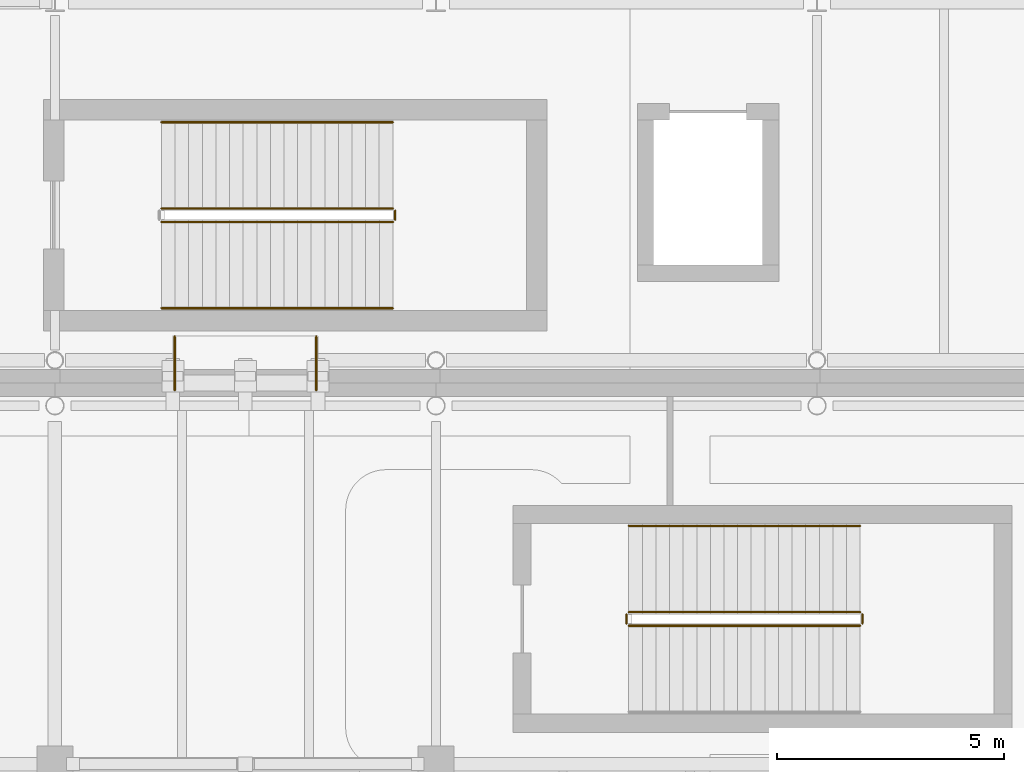
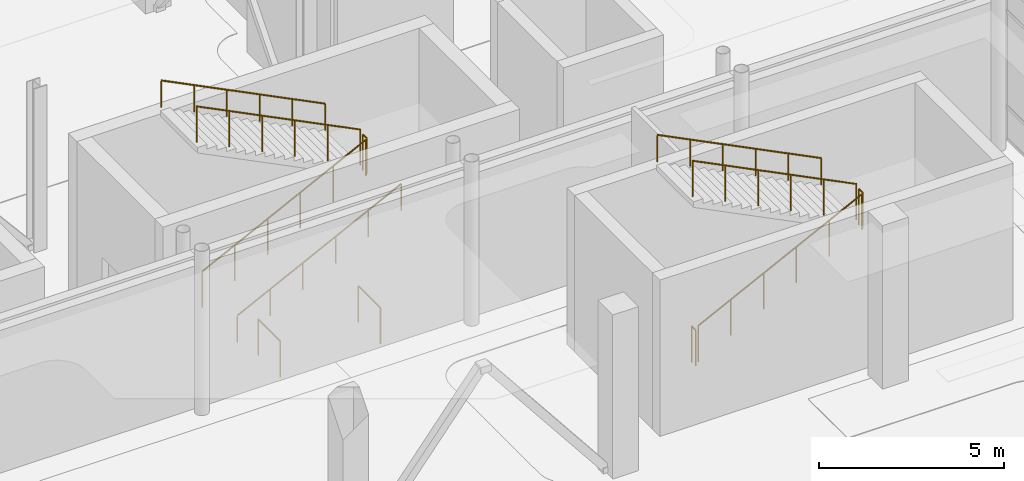
# One storey, part 107 of 110: 12 railings.
"""IFC4 building model written with IfcOpenShell, lengths in metres."""

from ifc_helpers import new_model, si_unit, direction, frame, origin, origin_2d, place, context, subcontext, project, spatial, circle, extrude, material, type_object, element, save


model = new_model("IFC4")

# Units and contexts
model_context = context("Model", 3, precision=1e-05, world=origin(), true_north=direction((0.0, 1.0)))
body_context = subcontext(model_context, "Body", "Model", "MODEL_VIEW")
ifc_project = project(units=[si_unit("LENGTHUNIT", "METRE"), si_unit("AREAUNIT", "SQUARE_METRE"), si_unit("VOLUMEUNIT", "CUBIC_METRE"), si_unit("PLANEANGLEUNIT", "RADIAN"), si_unit("MASSUNIT", "GRAM", prefix="KILO"), si_unit("THERMODYNAMICTEMPERATUREUNIT", "KELVIN")], contexts=[model_context])

# Site, building, storey
site_placement = place(None, origin())
site = spatial("IfcSite", under=ifc_project, at=site_placement, CompositionType="ELEMENT")
building_placement = place(site_placement, origin())
building = spatial("IfcBuilding", under=site, at=building_placement, Name="Lustrewick Department Store", CompositionType="ELEMENT")
storey_placement = place(building_placement, frame((0.0, 0.0, 6.0)))
storey = spatial("IfcBuildingStorey", under=building, at=storey_placement, Name="L02", CompositionType="ELEMENT", Elevation=6.0)

# Railings
ifc_material_1 = material(Name="Laminated safety glass and bronze atrium balustrade", Category="glass")
railing_type_1 = type_object("IfcRailingType", Name="RL-BAL", PredefinedType="BALUSTRADE", material=ifc_material_1)
for number, where, name in (
    (1, (128.639892578125, 50.239990234375, 0.0), "L02 Skybridge SB34 West Guard 0023"),
    (2, (131.760009765625, 50.239990234375, 0.0), "L02 Skybridge SB34 East Guard 0024"),
):
    element("IfcRailing", number, at=place(storey_placement, frame(where)), inside=storey, type_object=railing_type_1, Name=name, PredefinedType="BALUSTRADE", context=body_context, shape_type="SweptSolid", body=[
        extrude(circle(Radius=0.02392578125, at=origin_2d()), frame((0.0, 0.0, 1.17578125), z_axis=(0.0, 1.0, 0.0), x_axis=(-1.0, 0.0, 0.0)), (0.0, 0.0, 1.0), 1.18994140625),
        extrude(circle(Radius=0.02099609375, at=origin_2d()), origin(), (0.0, 0.0, 1.0), 1.15185546875),
        extrude(circle(Radius=0.02099609375, at=origin_2d()), frame((0.0, 1.18994140625, 0.0)), (0.0, 0.0, 1.0), 1.15185546875),
    ])
ifc_material_2 = material(Name="Painted tubular steel stairwell guardrail", Category="steel")
railing_type_2 = type_object("IfcRailingType", Name="RL-STG", PredefinedType="GUARDRAIL", material=ifc_material_2)
railing_1_placement = place(storey_placement, frame((138.64990234375, 45.050048828125, 0.14990234375)))
element("IfcRailing", 3, at=railing_1_placement, inside=storey, type_object=railing_type_2, Name="L02 ST08 Stair Guard 1", PredefinedType="GUARDRAIL", context=body_context, shape_type="SweptSolid", body=[
    extrude(circle(Radius=0.02392578125, at=origin_2d()), frame((0.0, 0.0, 1.17578125), z_axis=(0.894427191, 0.0, 0.4472135955), x_axis=(0.0, 1.0, 0.0)), (0.0, 0.0, 1.0), 5.7021484375),
    extrude(circle(Radius=0.02099609375, at=origin_2d()), origin(), (0.0, 0.0, 1.0), 1.15185546875),
    extrude(circle(Radius=0.02099609375, at=origin_2d()), frame((1.02001953125, 0.0, 0.510009765625)), (0.0, 0.0, 1.0), 1.15185546875),
    extrude(circle(Radius=0.02099609375, at=origin_2d()), frame((2.0400390625, 0.0, 1.02001953125)), (0.0, 0.0, 1.0), 1.15185546875),
    extrude(circle(Radius=0.02099609375, at=origin_2d()), frame((3.06005859375, 0.0, 1.530029296875)), (0.0, 0.0, 1.0), 1.15185546875),
    extrude(circle(Radius=0.02099609375, at=origin_2d()), frame((4.080078125, 0.0, 2.0400390625)), (0.0, 0.0, 1.0), 1.15185546875),
    extrude(circle(Radius=0.02099609375, at=origin_2d()), frame((5.10009765625, 0.0, 2.550048828125)), (0.0, 0.0, 1.0), 1.15185546875),
])
railing_2_placement = place(storey_placement, frame((143.800048828125, 45.10009765625, 2.699951171875)))
element("IfcRailing", 4, at=railing_2_placement, inside=storey, type_object=railing_type_2, Name="L02 ST08 Stair Guard 2", PredefinedType="GUARDRAIL", context=body_context, shape_type="SweptSolid", body=[
    extrude(circle(Radius=0.02392578125, at=origin_2d()), frame((0.0, 0.0, 1.17578125), z_axis=(0.0, 1.0, 0.0), x_axis=(-1.0, 0.0, 0.0)), (0.0, 0.0, 1.0), 0.199951171875),
    extrude(circle(Radius=0.02099609375, at=origin_2d()), origin(), (0.0, 0.0, 1.0), 1.15185546875),
    extrude(circle(Radius=0.02099609375, at=origin_2d()), frame((0.0, 0.199951171875, 0.0)), (0.0, 0.0, 1.0), 1.15185546875),
])
railing_3_placement = place(storey_placement, frame((143.75, 45.35009765625, 2.85009765625)))
element("IfcRailing", 5, at=railing_3_placement, inside=storey, type_object=railing_type_2, Name="L02 ST08 Stair Guard 3", PredefinedType="GUARDRAIL", context=body_context, shape_type="SweptSolid", body=[
    extrude(circle(Radius=0.02392578125, at=origin_2d()), frame((0.0, 0.0, 1.17578125), z_axis=(-0.89444431709, 0.0, 0.44717934168), x_axis=(0.0, -1.0, 0.0)), (0.0, 0.0, 1.0), 5.701904296875),
    extrude(circle(Radius=0.02099609375, at=origin_2d()), origin(), (0.0, 0.0, 1.0), 1.15185546875),
    extrude(circle(Radius=0.02099609375, at=origin_2d()), frame((-1.02001953125, 0.0, 0.510009765625)), (0.0, 0.0, 1.0), 1.15185546875),
    extrude(circle(Radius=0.02099609375, at=origin_2d()), frame((-2.0400390625, 0.0, 1.02001953125)), (0.0, 0.0, 1.0), 1.15185546875),
    extrude(circle(Radius=0.02099609375, at=origin_2d()), frame((-3.06005859375, 0.0, 1.52978515625)), (0.0, 0.0, 1.0), 1.15185546875),
    extrude(circle(Radius=0.02099609375, at=origin_2d()), frame((-4.080078125, 0.0, 2.039794921875)), (0.0, 0.0, 1.0), 1.15185546875),
    extrude(circle(Radius=0.02099609375, at=origin_2d()), frame((-5.10009765625, 0.0, 2.5498046875)), (0.0, 0.0, 1.0), 1.15185546875),
])
railing_4_placement = place(storey_placement, frame((138.60009765625, 45.10009765625, 0.0)))
element("IfcRailing", 6, at=railing_4_placement, inside=storey, type_object=railing_type_2, Name="L02 ST08 Stair Guard 4", PredefinedType="GUARDRAIL", context=body_context, shape_type="SweptSolid", body=[
    extrude(circle(Radius=0.02392578125, at=origin_2d()), frame((0.0, 0.0, 1.17578125), z_axis=(0.0, 1.0, 0.0), x_axis=(-1.0, 0.0, 0.0)), (0.0, 0.0, 1.0), 0.199951171875),
    extrude(circle(Radius=0.02099609375, at=origin_2d()), origin(), (0.0, 0.0, 1.0), 1.15185546875),
    extrude(circle(Radius=0.02099609375, at=origin_2d()), frame((0.0, 0.199951171875, 0.0)), (0.0, 0.0, 1.0), 1.15185546875),
])
railing_5_placement = place(storey_placement, frame((128.35009765625, 53.949951171875, 0.14990234375)))
element("IfcRailing", 7, at=railing_5_placement, inside=storey, type_object=railing_type_2, Name="L02 ST11 Stair Guard 1", PredefinedType="GUARDRAIL", context=body_context, shape_type="SweptSolid", body=[
    extrude(circle(Radius=0.02392578125, at=origin_2d()), frame((0.0, 0.0, 1.17578125), z_axis=(0.894418627299, 0.0, 0.447230722492), x_axis=(0.0, 1.0, 0.0)), (0.0, 0.0, 1.0), 5.701904296875),
    extrude(circle(Radius=0.02099609375, at=origin_2d()), origin(), (0.0, 0.0, 1.0), 1.15185546875),
    extrude(circle(Radius=0.02099609375, at=origin_2d()), frame((1.02001953125, 0.0, 0.510009765625)), (0.0, 0.0, 1.0), 1.15185546875),
    extrude(circle(Radius=0.02099609375, at=origin_2d()), frame((2.0400390625, 0.0, 1.02001953125)), (0.0, 0.0, 1.0), 1.15185546875),
    extrude(circle(Radius=0.02099609375, at=origin_2d()), frame((3.059814453125, 0.0, 1.530029296875)), (0.0, 0.0, 1.0), 1.15185546875),
    extrude(circle(Radius=0.02099609375, at=origin_2d()), frame((4.079833984375, 0.0, 2.0400390625)), (0.0, 0.0, 1.0), 1.15185546875),
    extrude(circle(Radius=0.02099609375, at=origin_2d()), frame((5.099853515625, 0.0, 2.550048828125)), (0.0, 0.0, 1.0), 1.15185546875),
])
railing_6_placement = place(storey_placement, frame((133.5, 54.0, 2.699951171875)))
element("IfcRailing", 8, at=railing_6_placement, inside=storey, type_object=railing_type_2, Name="L02 ST11 Stair Guard 2", PredefinedType="GUARDRAIL", context=body_context, shape_type="SweptSolid", body=[
    extrude(circle(Radius=0.02392578125, at=origin_2d()), frame((0.0, 0.0, 1.17578125), z_axis=(0.0, 1.0, 0.0), x_axis=(-1.0, 0.0, 0.0)), (0.0, 0.0, 1.0), 0.199951171875),
    extrude(circle(Radius=0.02099609375, at=origin_2d()), origin(), (0.0, 0.0, 1.0), 1.15185546875),
    extrude(circle(Radius=0.02099609375, at=origin_2d()), frame((0.0, 0.199951171875, 0.0)), (0.0, 0.0, 1.0), 1.15185546875),
])
railing_7_placement = place(storey_placement, frame((133.449951171875, 54.25, 2.85009765625)))
element("IfcRailing", 9, at=railing_7_placement, inside=storey, type_object=railing_type_2, Name="L02 ST11 Stair Guard 3", PredefinedType="GUARDRAIL", context=body_context, shape_type="SweptSolid", body=[
    extrude(circle(Radius=0.02392578125, at=origin_2d()), frame((0.0, 0.0, 1.17578125), z_axis=(-0.894435754537, 0.0, 0.447196468016), x_axis=(0.0, -1.0, 0.0)), (0.0, 0.0, 1.0), 5.70166015625),
    extrude(circle(Radius=0.02099609375, at=origin_2d()), origin(), (0.0, 0.0, 1.0), 1.15185546875),
    extrude(circle(Radius=0.02099609375, at=origin_2d()), frame((-1.02001953125, 0.0, 0.510009765625)), (0.0, 0.0, 1.0), 1.15185546875),
    extrude(circle(Radius=0.02099609375, at=origin_2d()), frame((-2.0400390625, 0.0, 1.02001953125)), (0.0, 0.0, 1.0), 1.15185546875),
    extrude(circle(Radius=0.02099609375, at=origin_2d()), frame((-3.059814453125, 0.0, 1.52978515625)), (0.0, 0.0, 1.0), 1.15185546875),
    extrude(circle(Radius=0.02099609375, at=origin_2d()), frame((-4.079833984375, 0.0, 2.039794921875)), (0.0, 0.0, 1.0), 1.15185546875),
    extrude(circle(Radius=0.02099609375, at=origin_2d()), frame((-5.099853515625, 0.0, 2.5498046875)), (0.0, 0.0, 1.0), 1.15185546875),
])
ifc_material_3 = material(Name="Brushed stainless steel wall handrail", Category="steel")
railing_type_3 = type_object("IfcRailingType", Name="RL-STH", PredefinedType="HANDRAIL", material=ifc_material_3)
railing_8_placement = place(storey_placement, frame((143.75, 47.25, 2.85009765625)))
element("IfcRailing", 10, at=railing_8_placement, inside=storey, type_object=railing_type_3, Name="L02 ST08 Stair Handrail 2", PredefinedType="HANDRAIL", context=body_context, shape_type="SweptSolid", body=[
    extrude(circle(Radius=0.02392578125, at=origin_2d()), frame((0.0, 0.0, 0.8759765625), z_axis=(-0.89444431709, 0.0, 0.44717934168), x_axis=(0.0, -1.0, 0.0)), (0.0, 0.0, 1.0), 5.701904296875),
    extrude(circle(Radius=0.02099609375, at=origin_2d()), origin(), (0.0, 0.0, 1.0), 0.851806640625),
    extrude(circle(Radius=0.02099609375, at=origin_2d()), frame((-1.02001953125, 0.0, 0.510009765625)), (0.0, 0.0, 1.0), 0.851806640625),
    extrude(circle(Radius=0.02099609375, at=origin_2d()), frame((-2.0400390625, 0.0, 1.02001953125)), (0.0, 0.0, 1.0), 0.851806640625),
    extrude(circle(Radius=0.02099609375, at=origin_2d()), frame((-3.06005859375, 0.0, 1.52978515625)), (0.0, 0.0, 1.0), 0.851806640625),
    extrude(circle(Radius=0.02099609375, at=origin_2d()), frame((-4.080078125, 0.0, 2.039794921875)), (0.0, 0.0, 1.0), 0.851806640625),
    extrude(circle(Radius=0.02099609375, at=origin_2d()), frame((-5.10009765625, 0.0, 2.5498046875)), (0.0, 0.0, 1.0), 0.851806640625),
])
railing_9_placement = place(storey_placement, frame((128.35009765625, 52.050048828125, 0.14990234375)))
element("IfcRailing", 11, at=railing_9_placement, inside=storey, type_object=railing_type_3, Name="L02 ST11 Stair Handrail 1", PredefinedType="HANDRAIL", context=body_context, shape_type="SweptSolid", body=[
    extrude(circle(Radius=0.02392578125, at=origin_2d()), frame((0.0, 0.0, 0.8759765625), z_axis=(0.894418627299, 0.0, 0.447230722492), x_axis=(0.0, 1.0, 0.0)), (0.0, 0.0, 1.0), 5.701904296875),
    extrude(circle(Radius=0.02099609375, at=origin_2d()), origin(), (0.0, 0.0, 1.0), 0.851806640625),
    extrude(circle(Radius=0.02099609375, at=origin_2d()), frame((1.02001953125, 0.0, 0.510009765625)), (0.0, 0.0, 1.0), 0.851806640625),
    extrude(circle(Radius=0.02099609375, at=origin_2d()), frame((2.0400390625, 0.0, 1.02001953125)), (0.0, 0.0, 1.0), 0.851806640625),
    extrude(circle(Radius=0.02099609375, at=origin_2d()), frame((3.059814453125, 0.0, 1.530029296875)), (0.0, 0.0, 1.0), 0.851806640625),
    extrude(circle(Radius=0.02099609375, at=origin_2d()), frame((4.079833984375, 0.0, 2.0400390625)), (0.0, 0.0, 1.0), 0.851806640625),
    extrude(circle(Radius=0.02099609375, at=origin_2d()), frame((5.099853515625, 0.0, 2.550048828125)), (0.0, 0.0, 1.0), 0.851806640625),
])
railing_10_placement = place(storey_placement, frame((133.449951171875, 56.14990234375, 2.85009765625)))
element("IfcRailing", 12, at=railing_10_placement, inside=storey, type_object=railing_type_3, Name="L02 ST11 Stair Handrail 2", PredefinedType="HANDRAIL", context=body_context, shape_type="SweptSolid", body=[
    extrude(circle(Radius=0.02392578125, at=origin_2d()), frame((0.0, 0.0, 0.8759765625), z_axis=(-0.894435754537, 0.0, 0.447196468016), x_axis=(0.0, -1.0, 0.0)), (0.0, 0.0, 1.0), 5.70166015625),
    extrude(circle(Radius=0.02099609375, at=origin_2d()), origin(), (0.0, 0.0, 1.0), 0.851806640625),
    extrude(circle(Radius=0.02099609375, at=origin_2d()), frame((-1.02001953125, 0.0, 0.510009765625)), (0.0, 0.0, 1.0), 0.851806640625),
    extrude(circle(Radius=0.02099609375, at=origin_2d()), frame((-2.0400390625, 0.0, 1.02001953125)), (0.0, 0.0, 1.0), 0.851806640625),
    extrude(circle(Radius=0.02099609375, at=origin_2d()), frame((-3.059814453125, 0.0, 1.52978515625)), (0.0, 0.0, 1.0), 0.851806640625),
    extrude(circle(Radius=0.02099609375, at=origin_2d()), frame((-4.079833984375, 0.0, 2.039794921875)), (0.0, 0.0, 1.0), 0.851806640625),
    extrude(circle(Radius=0.02099609375, at=origin_2d()), frame((-5.099853515625, 0.0, 2.5498046875)), (0.0, 0.0, 1.0), 0.851806640625),
])

save(model, "model.ifc")
